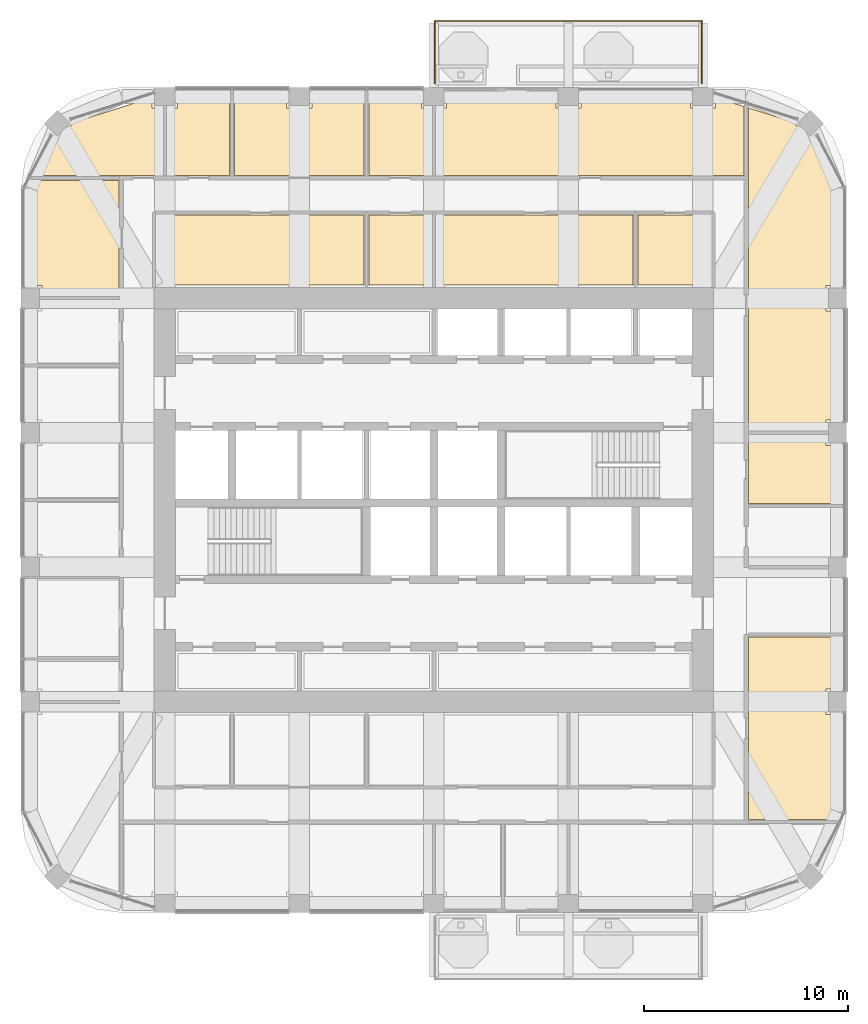
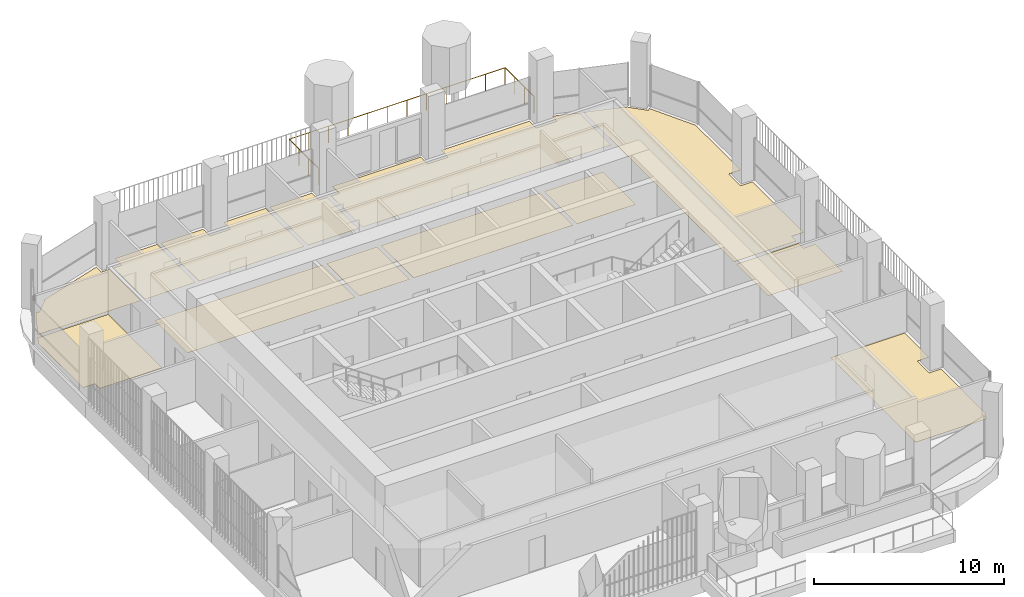
# One storey, part 20 of 21: 13 coverings, 1 railing.
"""IFC4 building model written with IfcOpenShell, lengths in metres."""

from ifc_helpers import new_model, si_unit, direction, frame, origin, place, context, subcontext, project, spatial, polyline, outline, extrude, material, layer, layer_set, type_object, element, save


model = new_model("IFC4")

# Units and contexts
model_context = context("Model", 3, precision=1e-05, world=origin(), true_north=direction((0.0, 1.0)))
body_context = subcontext(model_context, "Body", "Model", "MODEL_VIEW")
ifc_project = project(units=[si_unit("LENGTHUNIT", "METRE"), si_unit("AREAUNIT", "SQUARE_METRE"), si_unit("VOLUMEUNIT", "CUBIC_METRE"), si_unit("PLANEANGLEUNIT", "RADIAN"), si_unit("MASSUNIT", "GRAM", prefix="KILO")], contexts=[model_context])

# Site, building, storey
site_placement = place(None, origin())
site = spatial("IfcSite", under=ifc_project, at=site_placement, CompositionType="ELEMENT")
building_placement = place(site_placement, origin())
building = spatial("IfcBuilding", under=site, at=building_placement, Name="Cobogo Forest Laboratory Tower", CompositionType="ELEMENT")
storey_placement = place(building_placement, frame((0.0, 0.0, 267.0)))
storey = spatial("IfcBuildingStorey", under=building, at=storey_placement, Name="L61", CompositionType="ELEMENT", Elevation=267.0)

# Railing
ifc_material_1 = material(Name="Laminated glass balustrade", Category="glass")
railing_type = type_object("IfcRailingType", Name="BG1 glass balustrade 1100", PredefinedType="GUARDRAIL", material=ifc_material_1)
railing_placement = place(storey_placement, frame((26.449951171875, 43.550048828125, 0.0)))
element("IfcRailing", 1, at=railing_placement, inside=storey, type_object=railing_type, Name="Balcony balustrade BAL-N1 L61", PredefinedType="GUARDRAIL", context=body_context, shape_type="SweptSolid", body=[
    extrude(outline(polyline([(0.022216796875, 0.00927734375), (0.00927734375, 0.022216796875), (-0.00927734375, 0.022216796875), (-0.022216796875, 0.00927734375), (-0.022216796875, -0.00927734375), (-0.00927734375, -0.022216796875), (0.00927734375, -0.022216796875), (0.022216796875, -0.00927734375), (0.022216796875, 0.00927734375)])), frame((0.0, 0.0, 1.077880859375), z_axis=(0.0, 1.0, 0.0), x_axis=(-1.0, 0.0, 0.0)), (0.0, 0.0, 1.0), 3.050048828125),
    extrude(outline(polyline([(0.022216796875, 0.00927734375), (0.00927734375, 0.022216796875), (-0.00927734375, 0.022216796875), (-0.022216796875, 0.00927734375), (-0.022216796875, -0.00927734375), (-0.00927734375, -0.022216796875), (0.00927734375, -0.022216796875), (0.022216796875, -0.00927734375), (0.022216796875, 0.00927734375)])), frame((0.0, 3.050048828125, 1.077880859375), z_axis=(1.0, 0.0, 0.0), x_axis=(0.0, 1.0, 0.0)), (0.0, 0.0, 1.0), 13.10009765625),
    extrude(outline(polyline([(0.022216796875, 0.00927734375), (0.00927734375, 0.022216796875), (-0.00927734375, 0.022216796875), (-0.022216796875, 0.00927734375), (-0.022216796875, -0.00927734375), (-0.00927734375, -0.022216796875), (0.00927734375, -0.022216796875), (0.022216796875, -0.00927734375), (0.022216796875, 0.00927734375)])), frame((13.10009765625, 3.050048828125, 1.077880859375), z_axis=(0.0, -1.0, 0.0), x_axis=(1.0, 0.0, 0.0)), (0.0, 0.0, 1.0), 3.050048828125),
    extrude(outline(polyline([(0.019287109375, 0.008056640625), (0.008056640625, 0.019287109375), (-0.008056640625, 0.019287109375), (-0.019287109375, 0.008056640625), (-0.019287109375, -0.008056640625), (-0.008056640625, -0.019287109375), (0.008056640625, -0.019287109375), (0.019287109375, -0.008056640625), (0.019287109375, 0.008056640625)])), origin(), (0.0, 0.0, 1.0), 1.077880859375),
    extrude(outline(polyline([(0.019287109375, 0.008056640625), (0.008056640625, 0.019287109375), (-0.008056640625, 0.019287109375), (-0.019287109375, 0.008056640625), (-0.019287109375, -0.008056640625), (-0.008056640625, -0.019287109375), (0.008056640625, -0.019287109375), (0.019287109375, -0.008056640625), (0.019287109375, 0.008056640625)])), frame((0.0, 1.0166015625, 0.0)), (0.0, 0.0, 1.0), 1.077880859375),
    extrude(outline(polyline([(0.019287109375, 0.008056640625), (0.008056640625, 0.019287109375), (-0.008056640625, 0.019287109375), (-0.019287109375, 0.008056640625), (-0.019287109375, -0.008056640625), (-0.008056640625, -0.019287109375), (0.008056640625, -0.019287109375), (0.019287109375, -0.008056640625), (0.019287109375, 0.008056640625)])), frame((0.0, 2.033447265625, 0.0)), (0.0, 0.0, 1.0), 1.077880859375),
    extrude(outline(polyline([(0.019287109375, 0.008056640625), (0.008056640625, 0.019287109375), (-0.008056640625, 0.019287109375), (-0.019287109375, 0.008056640625), (-0.019287109375, -0.008056640625), (-0.008056640625, -0.019287109375), (0.008056640625, -0.019287109375), (0.019287109375, -0.008056640625), (0.019287109375, 0.008056640625)])), frame((0.0, 3.050048828125, 0.0)), (0.0, 0.0, 1.0), 1.077880859375),
    extrude(outline(polyline([(0.019287109375, 0.008056640625), (0.008056640625, 0.019287109375), (-0.008056640625, 0.019287109375), (-0.019287109375, 0.008056640625), (-0.019287109375, -0.008056640625), (-0.008056640625, -0.019287109375), (0.008056640625, -0.019287109375), (0.019287109375, -0.008056640625), (0.019287109375, 0.008056640625)])), frame((1.19091796875, 3.050048828125, 0.0)), (0.0, 0.0, 1.0), 1.077880859375),
    extrude(outline(polyline([(0.019287109375, 0.008056640625), (0.008056640625, 0.019287109375), (-0.008056640625, 0.019287109375), (-0.019287109375, 0.008056640625), (-0.019287109375, -0.008056640625), (-0.008056640625, -0.019287109375), (0.008056640625, -0.019287109375), (0.019287109375, -0.008056640625), (0.019287109375, 0.008056640625)])), frame((2.3818359375, 3.050048828125, 0.0)), (0.0, 0.0, 1.0), 1.077880859375),
    extrude(outline(polyline([(0.019287109375, 0.008056640625), (0.008056640625, 0.019287109375), (-0.008056640625, 0.019287109375), (-0.019287109375, 0.008056640625), (-0.019287109375, -0.008056640625), (-0.008056640625, -0.019287109375), (0.008056640625, -0.019287109375), (0.019287109375, -0.008056640625), (0.019287109375, 0.008056640625)])), frame((3.57275390625, 3.050048828125, 0.0)), (0.0, 0.0, 1.0), 1.077880859375),
    extrude(outline(polyline([(0.019287109375, 0.008056640625), (0.008056640625, 0.019287109375), (-0.008056640625, 0.019287109375), (-0.019287109375, 0.008056640625), (-0.019287109375, -0.008056640625), (-0.008056640625, -0.019287109375), (0.008056640625, -0.019287109375), (0.019287109375, -0.008056640625), (0.019287109375, 0.008056640625)])), frame((4.763671875, 3.050048828125, 0.0)), (0.0, 0.0, 1.0), 1.077880859375),
    extrude(outline(polyline([(0.019287109375, 0.008056640625), (0.008056640625, 0.019287109375), (-0.008056640625, 0.019287109375), (-0.019287109375, 0.008056640625), (-0.019287109375, -0.008056640625), (-0.008056640625, -0.019287109375), (0.008056640625, -0.019287109375), (0.019287109375, -0.008056640625), (0.019287109375, 0.008056640625)])), frame((5.95458984375, 3.050048828125, 0.0)), (0.0, 0.0, 1.0), 1.077880859375),
    extrude(outline(polyline([(0.019287109375, 0.008056640625), (0.008056640625, 0.019287109375), (-0.008056640625, 0.019287109375), (-0.019287109375, 0.008056640625), (-0.019287109375, -0.008056640625), (-0.008056640625, -0.019287109375), (0.008056640625, -0.019287109375), (0.019287109375, -0.008056640625), (0.019287109375, 0.008056640625)])), frame((7.1455078125, 3.050048828125, 0.0)), (0.0, 0.0, 1.0), 1.077880859375),
    extrude(outline(polyline([(0.019287109375, 0.008056640625), (0.008056640625, 0.019287109375), (-0.008056640625, 0.019287109375), (-0.019287109375, 0.008056640625), (-0.019287109375, -0.008056640625), (-0.008056640625, -0.019287109375), (0.008056640625, -0.019287109375), (0.019287109375, -0.008056640625), (0.019287109375, 0.008056640625)])), frame((8.33642578125, 3.050048828125, 0.0)), (0.0, 0.0, 1.0), 1.077880859375),
    extrude(outline(polyline([(0.019287109375, 0.008056640625), (0.008056640625, 0.019287109375), (-0.008056640625, 0.019287109375), (-0.019287109375, 0.008056640625), (-0.019287109375, -0.008056640625), (-0.008056640625, -0.019287109375), (0.008056640625, -0.019287109375), (0.019287109375, -0.008056640625), (0.019287109375, 0.008056640625)])), frame((9.52734375, 3.050048828125, 0.0)), (0.0, 0.0, 1.0), 1.077880859375),
    extrude(outline(polyline([(0.019287109375, 0.008056640625), (0.008056640625, 0.019287109375), (-0.008056640625, 0.019287109375), (-0.019287109375, 0.008056640625), (-0.019287109375, -0.008056640625), (-0.008056640625, -0.019287109375), (0.008056640625, -0.019287109375), (0.019287109375, -0.008056640625), (0.019287109375, 0.008056640625)])), frame((10.71826171875, 3.050048828125, 0.0)), (0.0, 0.0, 1.0), 1.077880859375),
    extrude(outline(polyline([(0.019287109375, 0.008056640625), (0.008056640625, 0.019287109375), (-0.008056640625, 0.019287109375), (-0.019287109375, 0.008056640625), (-0.019287109375, -0.008056640625), (-0.008056640625, -0.019287109375), (0.008056640625, -0.019287109375), (0.019287109375, -0.008056640625), (0.019287109375, 0.008056640625)])), frame((11.9091796875, 3.050048828125, 0.0)), (0.0, 0.0, 1.0), 1.077880859375),
    extrude(outline(polyline([(0.019287109375, 0.008056640625), (0.008056640625, 0.019287109375), (-0.008056640625, 0.019287109375), (-0.019287109375, 0.008056640625), (-0.019287109375, -0.008056640625), (-0.008056640625, -0.019287109375), (0.008056640625, -0.019287109375), (0.019287109375, -0.008056640625), (0.019287109375, 0.008056640625)])), frame((13.10009765625, 3.050048828125, 0.0)), (0.0, 0.0, 1.0), 1.077880859375),
    extrude(outline(polyline([(0.019287109375, 0.008056640625), (0.008056640625, 0.019287109375), (-0.008056640625, 0.019287109375), (-0.019287109375, 0.008056640625), (-0.019287109375, -0.008056640625), (-0.008056640625, -0.019287109375), (0.008056640625, -0.019287109375), (0.019287109375, -0.008056640625), (0.019287109375, 0.008056640625)])), frame((13.10009765625, 2.033447265625, 0.0)), (0.0, 0.0, 1.0), 1.077880859375),
    extrude(outline(polyline([(0.019287109375, 0.008056640625), (0.008056640625, 0.019287109375), (-0.008056640625, 0.019287109375), (-0.019287109375, 0.008056640625), (-0.019287109375, -0.008056640625), (-0.008056640625, -0.019287109375), (0.008056640625, -0.019287109375), (0.019287109375, -0.008056640625), (0.019287109375, 0.008056640625)])), frame((13.10009765625, 1.0166015625, 0.0)), (0.0, 0.0, 1.0), 1.077880859375),
    extrude(outline(polyline([(0.019287109375, 0.008056640625), (0.008056640625, 0.019287109375), (-0.008056640625, 0.019287109375), (-0.019287109375, 0.008056640625), (-0.019287109375, -0.008056640625), (-0.008056640625, -0.019287109375), (0.008056640625, -0.019287109375), (0.019287109375, -0.008056640625), (0.019287109375, 0.008056640625)])), frame((13.10009765625, 0.0, 0.0)), (0.0, 0.0, 1.0), 1.077880859375),
])

# Coverings
ifc_material_2 = material(Name="Carpet tile on raised access floor", Category="flooring")
ifc_layer_1 = layer(ifc_material_2, 0.008056640625)
ifc_layer_set_1 = layer_set([ifc_layer_1], Name="CT1 carpet tile floor 8")
covering_type_1 = type_object("IfcCoveringType", Name="CT1 carpet tile floor 8", PredefinedType="FLOORING", material=ifc_layer_set_1)
covering_1_placement = place(storey_placement, origin())
element("IfcCovering", 2, at=covering_1_placement, inside=storey, type_object=covering_type_1, Name="Carpet floor L61-01", PredefinedType="FLOORING", context=body_context, shape_type="SweptSolid", body=[
    extrude(outline(polyline([(22.97998046875, 33.64501953125), (12.794921875, 33.64501953125), (12.794921875, 37.080078125), (22.97998046875, 37.080078125), (22.97998046875, 33.64501953125)])), origin(), (0.0, 0.0, 1.0), 0.008056640625),
])
covering_2_placement = place(storey_placement, origin())
element("IfcCovering", 3, at=covering_2_placement, inside=storey, type_object=covering_type_1, Name="Carpet floor L61-02", PredefinedType="FLOORING", context=body_context, shape_type="SweptSolid", body=[
    extrude(outline(polyline([(26.280029296875, 33.64501953125), (23.219970703125, 33.64501953125), (23.219970703125, 37.080078125), (26.280029296875, 37.080078125), (26.280029296875, 33.64501953125)])), origin(), (0.0, 0.0, 1.0), 0.008056640625),
])
covering_3_placement = place(storey_placement, origin())
element("IfcCovering", 4, at=covering_3_placement, inside=storey, type_object=covering_type_1, Name="Carpet floor L61-03", PredefinedType="FLOORING", context=body_context, shape_type="SweptSolid", body=[
    extrude(outline(polyline([(36.179931640625, 33.64501953125), (26.52001953125, 33.64501953125), (26.52001953125, 37.080078125), (36.179931640625, 37.080078125), (36.179931640625, 33.64501953125)])), origin(), (0.0, 0.0, 1.0), 0.008056640625),
])
covering_4_placement = place(storey_placement, origin())
element("IfcCovering", 5, at=covering_4_placement, inside=storey, type_object=covering_type_1, Name="Carpet floor L61-04", PredefinedType="FLOORING", context=body_context, shape_type="SweptSolid", body=[
    extrude(outline(polyline([(40.0048828125, 33.64501953125), (36.419921875, 33.64501953125), (36.419921875, 37.080078125), (40.0048828125, 37.080078125), (40.0048828125, 33.64501953125)])), origin(), (0.0, 0.0, 1.0), 0.008056640625),
])
covering_5_placement = place(storey_placement, origin())
element("IfcCovering", 6, at=covering_5_placement, inside=storey, type_object=covering_type_1, Name="Carpet floor L61-13", PredefinedType="FLOORING", context=body_context, shape_type="SweptSolid", body=[
    extrude(outline(polyline([(41.844970703125, 16.3798828125), (46.35009765625, 16.3798828125), (46.35009765625, 13.820068359375), (45.6298828125, 13.820068359375), (45.6298828125, 12.580078125), (46.35009765625, 12.580078125), (46.35009765625, 7.84912109375), (46.125, 7.419921875), (41.844970703125, 7.419921875), (41.844970703125, 16.3798828125)])), origin(), (0.0, 0.0, 1.0), 0.008056640625),
])
covering_6_placement = place(storey_placement, origin())
element("IfcCovering", 7, at=covering_6_placement, inside=storey, type_object=covering_type_1, Name="Carpet floor L61-16", PredefinedType="FLOORING", context=body_context, shape_type="SweptSolid", body=[
    extrude(outline(polyline([(41.844970703125, 42.331298828125), (44.10986328125, 41.615966796875), (44.075927734375, 41.58203125), (44.882080078125, 40.77587890625), (45.010986328125, 40.905029296875), (46.35009765625, 38.350830078125), (46.35009765625, 33.6201171875), (45.6298828125, 33.6201171875), (45.6298828125, 32.3798828125), (46.35009765625, 32.3798828125), (46.35009765625, 27.02001953125), (45.6298828125, 27.02001953125), (45.6298828125, 26.52001953125), (41.844970703125, 26.52001953125), (41.844970703125, 42.331298828125)])), origin(), (0.0, 0.0, 1.0), 0.008056640625),
])
covering_7_placement = place(storey_placement, origin())
element("IfcCovering", 8, at=covering_7_placement, inside=storey, type_object=covering_type_1, Name="Carpet floor L61-17", PredefinedType="FLOORING", context=body_context, shape_type="SweptSolid", body=[
    extrude(outline(polyline([(6.80078125, 39.02001953125), (7.788818359375, 40.905029296875), (7.91796875, 40.77587890625), (8.72412109375, 41.58203125), (8.68994140625, 41.615966796875), (12.580078125, 42.844482421875), (12.580078125, 42.330078125), (13.080078125, 42.330078125), (13.080078125, 39.02001953125), (6.80078125, 39.02001953125)])), origin(), (0.0, 0.0, 1.0), 0.008056640625),
])
covering_8_placement = place(storey_placement, origin())
element("IfcCovering", 9, at=covering_8_placement, inside=storey, type_object=covering_type_1, Name="Carpet floor L61-18", PredefinedType="FLOORING", context=body_context, shape_type="SweptSolid", body=[
    extrude(outline(polyline([(13.320068359375, 39.02001953125), (13.320068359375, 42.330078125), (13.820068359375, 42.330078125), (13.820068359375, 43.050048828125), (16.3798828125, 43.050048828125), (16.3798828125, 39.02001953125), (13.320068359375, 39.02001953125)])), origin(), (0.0, 0.0, 1.0), 0.008056640625),
])
covering_9_placement = place(storey_placement, origin())
element("IfcCovering", 10, at=covering_9_placement, inside=storey, type_object=covering_type_1, Name="Carpet floor L61-19", PredefinedType="FLOORING", context=body_context, shape_type="SweptSolid", body=[
    extrude(outline(polyline([(16.6201171875, 39.02001953125), (16.6201171875, 43.050048828125), (19.179931640625, 43.050048828125), (19.179931640625, 42.330078125), (20.419921875, 42.330078125), (20.419921875, 43.050048828125), (22.97998046875, 43.050048828125), (22.97998046875, 39.02001953125), (16.6201171875, 39.02001953125)])), origin(), (0.0, 0.0, 1.0), 0.008056640625),
])
covering_10_placement = place(storey_placement, origin())
element("IfcCovering", 11, at=covering_10_placement, inside=storey, type_object=covering_type_1, Name="Carpet floor L61-20", PredefinedType="FLOORING", context=body_context, shape_type="SweptSolid", body=[
    extrude(outline(polyline([(23.219970703125, 39.02001953125), (23.219970703125, 43.050048828125), (25.780029296875, 43.050048828125), (25.780029296875, 42.330078125), (26.280029296875, 42.330078125), (26.280029296875, 39.02001953125), (23.219970703125, 39.02001953125)])), origin(), (0.0, 0.0, 1.0), 0.008056640625),
])
covering_11_placement = place(storey_placement, origin())
element("IfcCovering", 12, at=covering_11_placement, inside=storey, type_object=covering_type_1, Name="Carpet floor L61-21", PredefinedType="FLOORING", context=body_context, shape_type="SweptSolid", body=[
    extrude(outline(polyline([(26.52001953125, 39.02001953125), (26.52001953125, 42.330078125), (27.02001953125, 42.330078125), (27.02001953125, 43.050048828125), (32.3798828125, 43.050048828125), (32.3798828125, 42.330078125), (33.6201171875, 42.330078125), (33.6201171875, 43.050048828125), (38.97998046875, 43.050048828125), (38.97998046875, 42.330078125), (40.219970703125, 42.330078125), (40.219970703125, 42.844482421875), (41.60498046875, 42.406982421875), (41.60498046875, 39.02001953125), (26.52001953125, 39.02001953125)])), origin(), (0.0, 0.0, 1.0), 0.008056640625),
])
covering_12_placement = place(storey_placement, origin())
element("IfcCovering", 13, at=covering_12_placement, inside=storey, type_object=covering_type_1, Name="Carpet floor L61-28", PredefinedType="FLOORING", context=body_context, shape_type="SweptSolid", body=[
    extrude(outline(polyline([(10.955078125, 33.1201171875), (7.169921875, 33.1201171875), (7.169921875, 33.6201171875), (6.449951171875, 33.6201171875), (6.449951171875, 38.350830078125), (6.675048828125, 38.780029296875), (10.955078125, 38.780029296875), (10.955078125, 33.1201171875)])), origin(), (0.0, 0.0, 1.0), 0.008056640625),
])
ifc_material_3 = material(Name="Static-dissipative vinyl flooring", Category="flooring")
ifc_layer_2 = layer(ifc_material_3, 0.0029296875)
ifc_layer_set_2 = layer_set([ifc_layer_2], Name="SD1 static-dissipative vinyl floor 3")
covering_type_2 = type_object("IfcCoveringType", Name="SD1 static-dissipative vinyl floor 3", PredefinedType="FLOORING", material=ifc_layer_set_2)
covering_13_placement = place(storey_placement, origin())
element("IfcCovering", 14, at=covering_13_placement, inside=storey, type_object=covering_type_2, Name="Static-dissipative floor L61-15", PredefinedType="FLOORING", context=body_context, shape_type="SweptSolid", body=[
    extrude(outline(polyline([(41.844970703125, 26.280029296875), (45.6298828125, 26.280029296875), (45.6298828125, 25.780029296875), (46.35009765625, 25.780029296875), (46.35009765625, 22.919921875), (41.844970703125, 22.919921875), (41.844970703125, 26.280029296875)])), origin(), (0.0, 0.0, 1.0), 0.0029296875),
])

save(model, "model.ifc")
